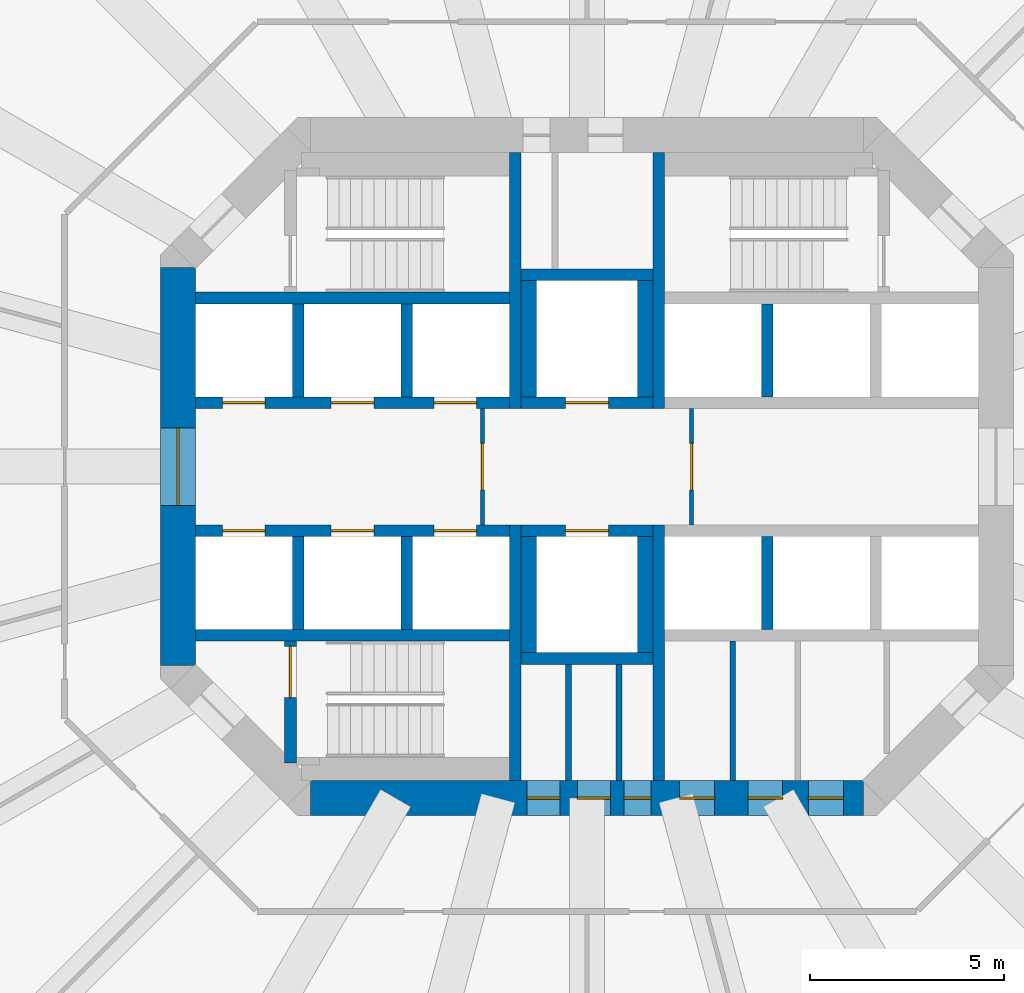
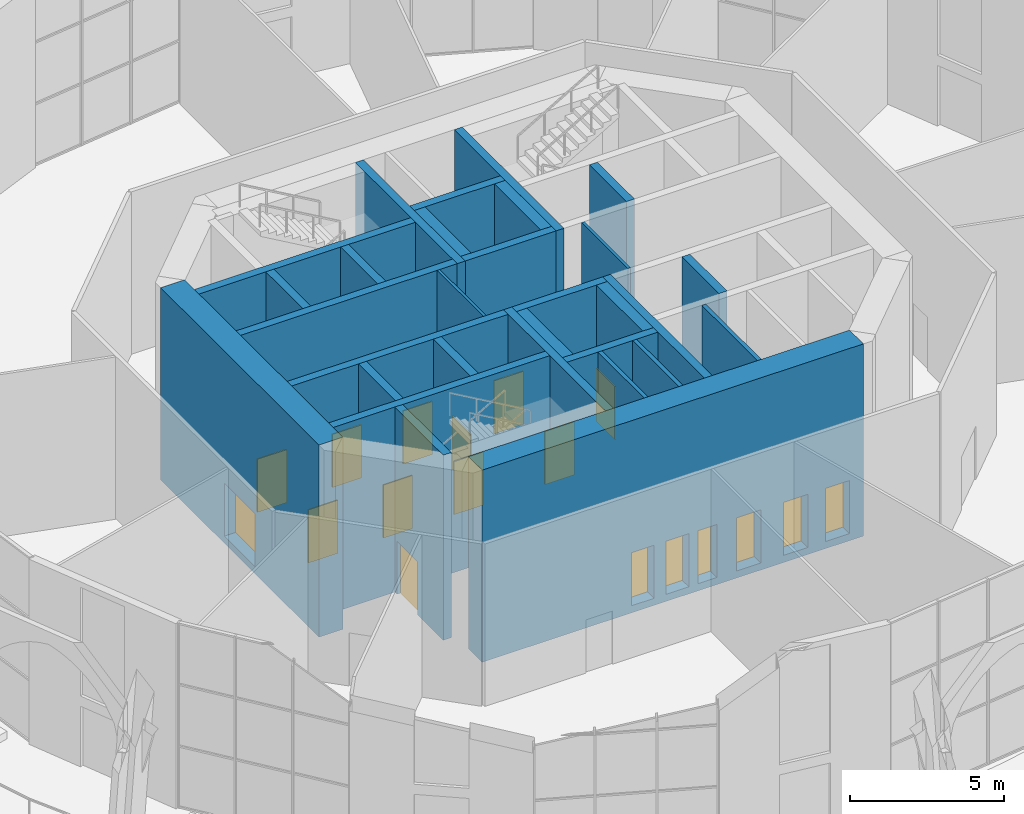
# One storey, part 13 of 19: 30 walls, 18 doors, 18 openings.
"""IFC4 building model written with IfcOpenShell, lengths in metres."""

import ifcopenshell
import ifcopenshell.guid

model = None  # the IFC model being written
_history = None  # IfcOwnerHistory: only IFC2X3 demands one
_inside = {}  # id of a spatial element -> (the spatial element, [elements in it])
_under = {}  # id of a project, library or spatial element -> (it, [spatial elements below it])
_declared = {}  # id of a project -> (the project, [libraries it declares])
_typed = {}  # id of a type object -> (the type object, [elements of that type])
_made_of = {}  # id of a material, layer set ... -> (it, [elements and type objects made of it])


def new_model(schema):
    """Start an empty IFC model of exactly this schema.

    Asked for "IFC4X3", IfcOpenShell would pick the latest addendum, in which some entities
    have other attributes; the version numbers below select the first issue.
    IFC2X3 requires an IfcOwnerHistory on every rooted entity: one is made here for all.
    """
    global model, _history
    if schema == "IFC4X3":
        model = ifcopenshell.file(schema_version=(4, 3, 0, 0))
    else:
        model = ifcopenshell.file(schema=schema)
    _inside.clear()
    _under.clear()
    _declared.clear()
    _typed.clear()
    _made_of.clear()
    _history = None
    if model.schema == "IFC2X3":
        org = make("IfcOrganization", Name="unknown")
        user = make(
            "IfcPersonAndOrganization",
            ThePerson=make("IfcPerson", FamilyName="unknown"),
            TheOrganization=org,
        )
        app = make(
            "IfcApplication",
            ApplicationDeveloper=org,
            Version="unknown",
            ApplicationFullName="unknown",
            ApplicationIdentifier="unknown",
        )
        _history = make(
            "IfcOwnerHistory",
            OwningUser=user,
            OwningApplication=app,
            ChangeAction="ADDED",
            CreationDate=0,
        )
    return model


def make(cls, **values):
    """One entity of the class cls with the attributes given. An attribute that is None is left unset."""
    return model.create_entity(
        cls, **{name: value for name, value in values.items() if value is not None}
    )


def rooted(cls, **values):
    """An entity with a GlobalId (a new one), such as an element, a storey or a relation."""
    return make(cls, GlobalId=ifcopenshell.guid.new(), OwnerHistory=_history, **values)


def si_unit(unit_type, name, prefix=None):
    """IfcSIUnit, for example si_unit("LENGTHUNIT", "METRE", prefix="MILLI")."""
    return make("IfcSIUnit", UnitType=unit_type, Prefix=prefix, Name=name)


def assignment(units):
    """IfcUnitAssignment: the units of a project."""
    return None if units is None else make("IfcUnitAssignment", Units=units)


def point(xyz):
    """IfcCartesianPoint."""
    return None if xyz is None else make("IfcCartesianPoint", Coordinates=xyz)


def direction(xyz):
    """IfcDirection."""
    return None if xyz is None else make("IfcDirection", DirectionRatios=xyz)


def frame(location, z_axis=None, x_axis=None):
    """IfcAxis2Placement3D, a coordinate frame: its origin and axes. An axis left out is left unset."""
    return make(
        "IfcAxis2Placement3D",
        Location=point(location),
        Axis=direction(z_axis),
        RefDirection=direction(x_axis),
    )


def frame_2d(location, x_axis=None):
    """IfcAxis2Placement2D, a coordinate frame in the plane: its origin and x axis."""
    return make(
        "IfcAxis2Placement2D", Location=point(location), RefDirection=direction(x_axis)
    )


def origin():
    """The frame at (0, 0, 0) with its axes left unset."""
    return frame((0.0, 0.0, 0.0))


def place(relative_to, where):
    """IfcLocalPlacement: puts the frame where relative to a parent placement (None: the world)."""
    return make(
        "IfcLocalPlacement", PlacementRelTo=relative_to, RelativePlacement=where
    )


def context(
    kind, dimensions, precision=None, world=None, true_north=None, identifier=None
):
    """IfcGeometricRepresentationContext, for example the 3D "Model" context."""
    return make(
        "IfcGeometricRepresentationContext",
        ContextIdentifier=identifier,
        ContextType=kind,
        CoordinateSpaceDimension=dimensions,
        Precision=precision,
        WorldCoordinateSystem=world,
        TrueNorth=true_north,
    )


def subcontext(parent, identifier, kind, view, scale=None):
    """IfcGeometricRepresentationSubContext, for example "Body" below "Model"."""
    return make(
        "IfcGeometricRepresentationSubContext",
        ContextIdentifier=identifier,
        ContextType=kind,
        ParentContext=parent,
        TargetScale=scale,
        TargetView=view,
    )


def project(units=None, contexts=None):
    """IfcProject with its units and contexts."""
    return rooted(
        "IfcProject",
        Name="project",
        RepresentationContexts=contexts,
        UnitsInContext=assignment(units),
    )


def spatial(cls, under=None, at=None, **own):
    """A site, building, storey or space (cls), placed at a placement, below another one or the project."""
    s = rooted(cls, ObjectPlacement=at, **own)
    if under is not None:
        _under.setdefault(under.id(), (under, []))[1].append(s)
    return s


def profile(cls, at=None, kind="AREA", **sizes):
    """A parametric profile (cls). Its sizes go by their IFC names, for example OverallWidth=200.0."""
    return make(cls, ProfileType=kind, Position=at, **sizes)


def rectangle(**sizes):
    """IfcRectangleProfileDef."""
    return profile("IfcRectangleProfileDef", **sizes)


def extrude(swept, where, along, depth):
    """IfcExtrudedAreaSolid: the profile swept, set in the frame where, extruded along a direction by depth."""
    return make(
        "IfcExtrudedAreaSolid",
        SweptArea=swept,
        Position=where,
        ExtrudedDirection=direction(along),
        Depth=depth,
    )


def shape(context_of_items, identifier, shape_type, items):
    """IfcShapeRepresentation: the items that make up one representation, for example the "Body"."""
    return make(
        "IfcShapeRepresentation",
        ContextOfItems=context_of_items,
        RepresentationIdentifier=identifier,
        RepresentationType=shape_type,
        Items=items,
    )


def material(Name=None, Category=None):
    """IfcMaterial."""
    return make("IfcMaterial", Name=Name, Category=Category)


def layer(
    of_material, thickness, ventilated=None, Name=None, Category=None, Priority=None
):
    """IfcMaterialLayer: one layer of a wall or slab, of a material (None: an air gap)."""
    return make(
        "IfcMaterialLayer",
        Material=of_material,
        LayerThickness=thickness,
        IsVentilated=ventilated,
        Name=Name,
        Category=Category,
        Priority=Priority,
    )


def layer_set(layers, Name=None):
    """IfcMaterialLayerSet."""
    return make("IfcMaterialLayerSet", MaterialLayers=layers, LayerSetName=Name)


def made_of(thing, what):
    """Note that an element or type object is made of a material, layer set ...; save() writes the relation."""
    if what is not None:
        _made_of.setdefault(what.id(), (what, []))[1].append(thing)
    return thing


def type_object(cls, material=None, **own):
    """A type object (cls), such as IfcWallType, which elements share."""
    return made_of(rooted(cls, **own), material)


def element(
    cls,
    number,
    at=None,
    inside=None,
    cuts=None,
    type_object=None,
    material=None,
    context=None,
    identifier="Body",
    shape_type=None,
    held_by="IfcProductDefinitionShape",
    body=None,
    shapes=None,
    **own,
):
    """One element of the class cls, such as IfcWall. Its Tag is "e" and its number.

    at: its placement. inside: the storey or other place that contains it. cuts: it is an
    opening in that element (IfcRelVoidsElement). A single representation is given by context,
    identifier, shape_type and body (its items); several are given by shapes. held_by: the class
    of the entity that holds the representations. save() writes the other relations.
    """
    e = rooted(cls, Tag="e%d" % number, ObjectPlacement=at, **own)
    if body is not None:
        shapes = [shape(context, identifier, shape_type, body)]
    if shapes is not None:
        e.Representation = make(held_by, Representations=shapes)
    if inside is not None:
        _inside.setdefault(inside.id(), (inside, []))[1].append(e)
    if cuts is not None:
        rooted(
            "IfcRelVoidsElement", RelatingBuildingElement=cuts, RelatedOpeningElement=e
        )
    if type_object is not None:
        _typed.setdefault(type_object.id(), (type_object, []))[1].append(e)
    return made_of(e, material)


def fill(opening, filler):
    """IfcRelFillsElement: the door or window that sits in an opening."""
    return rooted(
        "IfcRelFillsElement",
        RelatingOpeningElement=opening,
        RelatedBuildingElement=filler,
    )


def aggregate(whole, parts):
    """IfcRelAggregates: a whole, such as a stair, and the parts it consists of."""
    return rooted("IfcRelAggregates", RelatingObject=whole, RelatedObjects=parts)


def save(model, path):
    """Write the relations noted so far, then the file.

    IfcRelAggregates (storeys below a building ...), IfcRelContainedInSpatialStructure (elements
    in a storey), IfcRelDefinesByType, IfcRelAssociatesMaterial and IfcRelDeclares: one each for
    every whole, place, type object, material and project.
    """
    for whole, parts in _under.values():
        aggregate(whole, parts)
    for where, things in _inside.values():
        rooted(
            "IfcRelContainedInSpatialStructure",
            RelatedElements=things,
            RelatingStructure=where,
        )
    for kind, things in _typed.values():
        rooted("IfcRelDefinesByType", RelatedObjects=things, RelatingType=kind)
    for what, things in _made_of.values():
        rooted("IfcRelAssociatesMaterial", RelatedObjects=things, RelatingMaterial=what)
    for by, libraries in _declared.values():
        rooted("IfcRelDeclares", RelatingContext=by, RelatedDefinitions=libraries)
    model.write(path)


model = new_model("IFC4")

# Units and contexts
model_context = context("Model", 3, precision=1e-05, world=origin(), true_north=direction((0.0, 1.0)))
body_context = subcontext(model_context, "Body", "Model", "MODEL_VIEW")
ifc_project = project(units=[si_unit("LENGTHUNIT", "METRE"), si_unit("AREAUNIT", "SQUARE_METRE"), si_unit("VOLUMEUNIT", "CUBIC_METRE"), si_unit("PLANEANGLEUNIT", "RADIAN"), si_unit("MASSUNIT", "GRAM", prefix="KILO")], contexts=[model_context])

# Site, building, storey
site_placement = place(None, origin())
site = spatial("IfcSite", under=ifc_project, at=site_placement, CompositionType="ELEMENT")
building_placement = place(site_placement, origin())
building = spatial("IfcBuilding", under=site, at=building_placement, Name="Torre Triforio", CompositionType="ELEMENT")
storey_placement = place(building_placement, frame((0.0, 0.0, 79.0)))
storey = spatial("IfcBuildingStorey", under=building, at=storey_placement, Name="L17", CompositionType="ELEMENT", Elevation=79.0)

# Walls
ifc_material_1 = material(Name="Concrete C60", Category="concrete")
ifc_layer_1 = layer(ifc_material_1, 0.300048828125)
ifc_layer_set_1 = layer_set([ifc_layer_1], Name="Concrete C60")
wall_type_1 = type_object("IfcWallType", Name="Core wall 300 mm C60 EI 120", PredefinedType="SHEAR", material=ifc_layer_set_1)
for number, where, z_axis, x_axis, name in (
    (1, (-1.85009765625, 1.5, 0.0), (0.0, 0.0, 1.0), (0.0, 1.0, 0.0), "Core wall"),
    (2, (-1.85009765625, -8.10009765625, 0.0), (0.0, 0.0, 1.0), (0.0, 1.0, 0.0), "Core wall"),
    (3, (1.85009765625, 1.5, 0.0), (0.0, 0.0, 1.0), (0.0, 1.0, 0.0), "Core wall"),
    (4, (1.85009765625, -8.10009765625, 0.0), (0.0, 0.0, 1.0), (0.0, 1.0, 0.0), "Core wall"),
):
    element("IfcWall", number, at=place(storey_placement, frame(where, z_axis=z_axis, x_axis=x_axis)), inside=storey, type_object=wall_type_1, Name=name, PredefinedType="SHEAR", context=body_context, shape_type="SweptSolid", body=[
        extrude(rectangle(XDim=6.60009765625, YDim=0.300048828125, at=frame_2d((3.300048828125, 0.0))), origin(), (0.0, 0.0, 1.0), 7.320068359375),
    ])

# Wall, openings, doors
ifc_layer_2 = layer(ifc_material_1, 0.89990234375)
ifc_layer_set_2 = layer_set([ifc_layer_2], Name="Concrete C60")
wall_type_2 = type_object("IfcWallType", Name="Core wall 900 mm C60 EI 120", PredefinedType="SHEAR", material=ifc_layer_set_2)
wall_1_placement = place(storey_placement, frame((-7.1298828125, -8.550048828125, -0.280029296875), z_axis=(0.0, 0.0, 1.0), x_axis=(1.0, 0.0, 0.0)))
wall_1 = element("IfcWall", 5, at=wall_1_placement, inside=storey, type_object=wall_type_2, Name="Core wall", PredefinedType="SHEAR", context=body_context, shape_type="SweptSolid", body=[
    extrude(rectangle(XDim=14.259765625, YDim=0.89990234375, at=frame_2d((7.1298828125, 0.0))), origin(), (0.0, 0.0, 1.0), 7.60009765625),
])
opening_1_placement = place(wall_1_placement, frame((8.080078125, 0.0, 0.280029296875)))
opening_1 = element("IfcOpeningElement", 6, at=opening_1_placement, cuts=wall_1, Name="Opening RISER-S", PredefinedType="OPENING", context=body_context, shape_type="SweptSolid", body=[
    extrude(rectangle(XDim=0.699951171875, YDim=2.10009765625, at=frame_2d((0.35009765625, 1.050048828125))), frame((0.0, 0.4599609375, 0.0), z_axis=(0.0, -1.0, 0.0), x_axis=(1.0, 0.0, 0.0)), (0.0, 0.0, 1.0), 0.919921875),
])
opening_2_placement = place(wall_1_placement, frame((5.580078125, 0.0, 0.280029296875)))
opening_2 = element("IfcOpeningElement", 7, at=opening_2_placement, cuts=wall_1, Name="Opening SW-01A", PredefinedType="OPENING", context=body_context, shape_type="SweptSolid", body=[
    extrude(rectangle(XDim=0.85009765625, YDim=2.10009765625, at=frame_2d((0.425048828125, 1.050048828125))), frame((0.0, 0.4599609375, 0.0), z_axis=(0.0, -1.0, 0.0), x_axis=(1.0, 0.0, 0.0)), (0.0, 0.0, 1.0), 0.919921875),
])
opening_3_placement = place(wall_1_placement, frame((6.8798828125, 0.0, 0.280029296875)))
opening_3 = element("IfcOpeningElement", 8, at=opening_3_placement, cuts=wall_1, Name="Opening SW-02", PredefinedType="OPENING", context=body_context, shape_type="SweptSolid", body=[
    extrude(rectangle(XDim=0.85009765625, YDim=2.10009765625, at=frame_2d((0.425048828125, 1.050048828125))), frame((0.0, 0.4599609375, 0.0), z_axis=(0.0, -1.0, 0.0), x_axis=(1.0, 0.0, 0.0)), (0.0, 0.0, 1.0), 0.919921875),
])
opening_4_placement = place(wall_1_placement, frame((9.521484375, 0.0, 0.280029296875)))
opening_4 = element("IfcOpeningElement", 9, at=opening_4_placement, cuts=wall_1, Name="Opening SE-01", PredefinedType="OPENING", context=body_context, shape_type="SweptSolid", body=[
    extrude(rectangle(XDim=0.89990234375, YDim=2.10009765625, at=frame_2d((0.449951171875, 1.050048828125))), frame((0.0, 0.4599609375, 0.0), z_axis=(0.0, -1.0, 0.0), x_axis=(1.0, 0.0, 0.0)), (0.0, 0.0, 1.0), 0.919921875),
])
opening_5_placement = place(wall_1_placement, frame((11.278076171875, 0.0, 0.280029296875)))
opening_5 = element("IfcOpeningElement", 10, at=opening_5_placement, cuts=wall_1, Name="Opening SE-02", PredefinedType="OPENING", context=body_context, shape_type="SweptSolid", body=[
    extrude(rectangle(XDim=0.89990234375, YDim=2.10009765625, at=frame_2d((0.449951171875, 1.050048828125))), frame((0.0, 0.4599609375, 0.0), z_axis=(0.0, -1.0, 0.0), x_axis=(1.0, 0.0, 0.0)), (0.0, 0.0, 1.0), 0.919921875),
])
opening_6_placement = place(wall_1_placement, frame((12.840087890625, 0.0, 0.280029296875)))
opening_6 = element("IfcOpeningElement", 11, at=opening_6_placement, cuts=wall_1, Name="Opening SE-03", PredefinedType="OPENING", context=body_context, shape_type="SweptSolid", body=[
    extrude(rectangle(XDim=0.89990234375, YDim=2.10009765625, at=frame_2d((0.449951171875, 1.050048828125))), frame((0.0, 0.4599609375, 0.0), z_axis=(0.0, -1.0, 0.0), x_axis=(1.0, 0.0, 0.0)), (0.0, 0.0, 1.0), 0.919921875),
])
ifc_material_2 = material(Name="Hollow metal fire door leaf")
door_type_1 = type_object("IfcDoorType", Name="Plant room door 900 x 2100 EI 60", OperationType="NOTDEFINED", PredefinedType="DOOR", material=ifc_material_2)
door_1_placement = place(opening_4_placement, origin())
door_1 = element("IfcDoor", 12, at=door_1_placement, inside=storey, type_object=door_type_1, Name="Core door SE-01", OperationType="SINGLE_SWING_LEFT", OverallHeight=2.10009765625, OverallWidth=0.89990234375, PredefinedType="DOOR", context=body_context, shape_type="SweptSolid", body=[
    extrude(rectangle(XDim=0.89990234375, YDim=2.10009765625, at=frame_2d((0.449951171875, 1.050048828125))), frame((0.0, 0.02490234375, 0.0), z_axis=(0.0, -1.0, 0.0), x_axis=(1.0, 0.0, 0.0)), (0.0, 0.0, 1.0), 0.050048828125),
])
fill(opening_4, door_1)
door_type_2 = type_object("IfcDoorType", Name="Riser door 700 x 2100 EI 60", OperationType="NOTDEFINED", PredefinedType="DOOR", material=ifc_material_2)
door_2_placement = place(opening_1_placement, origin())
door_2 = element("IfcDoor", 13, at=door_2_placement, inside=storey, type_object=door_type_2, Name="Core door RISER-S", OperationType="SINGLE_SWING_RIGHT", OverallHeight=2.10009765625, OverallWidth=0.699951171875, PredefinedType="DOOR", context=body_context, shape_type="SweptSolid", body=[
    extrude(rectangle(XDim=0.699951171875, YDim=2.10009765625, at=frame_2d((0.35009765625, 1.050048828125))), frame((0.0, 0.02490234375, 0.0), z_axis=(0.0, -1.0, 0.0), x_axis=(1.0, 0.0, 0.0)), (0.0, 0.0, 1.0), 0.050048828125),
])
fill(opening_1, door_2)
door_type_3 = type_object("IfcDoorType", Name="Room door 850 x 2100 EI 60", OperationType="NOTDEFINED", PredefinedType="DOOR", material=ifc_material_2)
door_3_placement = place(opening_2_placement, origin())
door_3 = element("IfcDoor", 14, at=door_3_placement, inside=storey, type_object=door_type_3, Name="Core door SW-01", OperationType="SINGLE_SWING_RIGHT", OverallHeight=2.10009765625, OverallWidth=0.85009765625, PredefinedType="DOOR", context=body_context, shape_type="SweptSolid", body=[
    extrude(rectangle(XDim=0.85009765625, YDim=2.10009765625, at=frame_2d((0.425048828125, 1.050048828125))), frame((0.0, 0.02490234375, 0.0), z_axis=(0.0, -1.0, 0.0), x_axis=(1.0, 0.0, 0.0)), (0.0, 0.0, 1.0), 0.050048828125),
])
fill(opening_2, door_3)
door_4_placement = place(opening_3_placement, origin())
door_4 = element("IfcDoor", 15, at=door_4_placement, inside=storey, type_object=door_type_3, Name="Core door SW-02", OperationType="SINGLE_SWING_LEFT", OverallHeight=2.10009765625, OverallWidth=0.85009765625, PredefinedType="DOOR", context=body_context, shape_type="SweptSolid", body=[
    extrude(rectangle(XDim=0.85009765625, YDim=2.10009765625, at=frame_2d((0.425048828125, 1.050048828125))), frame((0.0, 0.02490234375, 0.0), z_axis=(0.0, -1.0, 0.0), x_axis=(1.0, 0.0, 0.0)), (0.0, 0.0, 1.0), 0.050048828125),
])
fill(opening_3, door_4)
door_type_4 = type_object("IfcDoorType", Name="Room door 900 x 2100 EI 60", OperationType="NOTDEFINED", PredefinedType="DOOR", material=ifc_material_2)
door_5_placement = place(opening_5_placement, origin())
door_5 = element("IfcDoor", 16, at=door_5_placement, inside=storey, type_object=door_type_4, Name="Core door SE-02", OperationType="SINGLE_SWING_LEFT", OverallHeight=2.10009765625, OverallWidth=0.89990234375, PredefinedType="DOOR", context=body_context, shape_type="SweptSolid", body=[
    extrude(rectangle(XDim=0.89990234375, YDim=2.10009765625, at=frame_2d((0.449951171875, 1.050048828125))), frame((0.0, 0.02490234375, 0.0), z_axis=(0.0, -1.0, 0.0), x_axis=(1.0, 0.0, 0.0)), (0.0, 0.0, 1.0), 0.050048828125),
])
fill(opening_5, door_5)
door_6_placement = place(opening_6_placement, origin())
door_6 = element("IfcDoor", 17, at=door_6_placement, inside=storey, type_object=door_type_4, Name="Core door SE-03", OperationType="SINGLE_SWING_LEFT", OverallHeight=2.10009765625, OverallWidth=0.89990234375, PredefinedType="DOOR", context=body_context, shape_type="SweptSolid", body=[
    extrude(rectangle(XDim=0.89990234375, YDim=2.10009765625, at=frame_2d((0.449951171875, 1.050048828125))), frame((0.0, 0.02490234375, 0.0), z_axis=(0.0, -1.0, 0.0), x_axis=(1.0, 0.0, 0.0)), (0.0, 0.0, 1.0), 0.050048828125),
])
fill(opening_6, door_6)

# Wall, opening, door
wall_2_placement = place(storey_placement, frame((-10.550048828125, -5.1298828125, -0.280029296875), z_axis=(0.0, 0.0, 1.0), x_axis=(0.0, 1.0, 0.0)))
wall_2 = element("IfcWall", 18, at=wall_2_placement, inside=storey, type_object=wall_type_2, Name="Core wall", PredefinedType="SHEAR", context=body_context, shape_type="SweptSolid", body=[
    extrude(rectangle(XDim=10.259765625, YDim=0.89990234375, at=frame_2d((5.1298828125, 0.0))), origin(), (0.0, 0.0, 1.0), 7.60009765625),
])
opening_7_placement = place(wall_2_placement, frame((4.1298828125, 0.0, 0.280029296875)))
opening_7 = element("IfcOpeningElement", 19, at=opening_7_placement, cuts=wall_2, Name="Opening W-RING", PredefinedType="OPENING", context=body_context, shape_type="SweptSolid", body=[
    extrude(rectangle(XDim=2.0, YDim=2.10009765625, at=frame_2d((1.0, 1.050048828125))), frame((0.0, 0.4599609375, 0.0), z_axis=(0.0, -1.0, 0.0), x_axis=(1.0, 0.0, 0.0)), (0.0, 0.0, 1.0), 0.919921875),
])
door_type_5 = type_object("IfcDoorType", Name="Lobby door 2000 x 2100 EI 60", OperationType="DOUBLE_DOOR_SINGLE_SWING", PredefinedType="DOOR", material=ifc_material_2)
door_7_placement = place(opening_7_placement, origin())
door_7 = element("IfcDoor", 20, at=door_7_placement, inside=storey, type_object=door_type_5, Name="Core door W-RING", OperationType="DOUBLE_DOOR_SINGLE_SWING", OverallHeight=2.10009765625, OverallWidth=2.0, PredefinedType="DOOR", context=body_context, shape_type="SweptSolid", body=[
    extrude(rectangle(XDim=2.0, YDim=2.10009765625, at=frame_2d((1.0, 1.050048828125))), frame((0.0, 0.02490234375, 0.0), z_axis=(0.0, -1.0, 0.0), x_axis=(1.0, 0.0, 0.0)), (0.0, 0.0, 1.0), 0.050048828125),
])
fill(opening_7, door_7)

ifc_material_3 = material(Name="Block and board partition")
ifc_layer_3 = layer(ifc_material_3, 0.10009765625)
ifc_layer_set_3 = layer_set([ifc_layer_3], Name="Block and board partition")
wall_type_3 = type_object("IfcWallType", Name="Partition 100 mm EI 120", PredefinedType="PARTITIONING", material=ifc_layer_set_3)
wall_3_placement = place(storey_placement, frame((-2.699951171875, -1.5, 0.0), z_axis=(0.0, 0.0, 1.0), x_axis=(0.0, 1.0, 0.0)))
wall_3 = element("IfcWall", 21, at=wall_3_placement, inside=storey, type_object=wall_type_3, Name="Partition", PredefinedType="PARTITIONING", context=body_context, shape_type="SweptSolid", body=[
    extrude(rectangle(XDim=3.0, YDim=0.10009765625, at=frame_2d((1.5, 0.0))), origin(), (0.0, 0.0, 1.0), 7.320068359375),
])
opening_8_placement = place(wall_3_placement, frame((0.89990234375, 0.0, 0.0)))
opening_8 = element("IfcOpeningElement", 22, at=opening_8_placement, cuts=wall_3, Name="Opening FF-W", PredefinedType="OPENING", context=body_context, shape_type="SweptSolid", body=[
    extrude(rectangle(XDim=1.199951171875, YDim=2.10009765625, at=frame_2d((0.60009765625, 1.050048828125))), frame((0.0, 0.06005859375, 0.0), z_axis=(0.0, -1.0, 0.0), x_axis=(1.0, 0.0, 0.0)), (0.0, 0.0, 1.0), 0.1201171875),
])
door_type_6 = type_object("IfcDoorType", Name="Fire-fighting lobby door 1200 x 2100 EI 60", OperationType="NOTDEFINED", PredefinedType="DOOR", material=ifc_material_2)
door_8_placement = place(opening_8_placement, origin())
door_8 = element("IfcDoor", 23, at=door_8_placement, inside=storey, type_object=door_type_6, Name="Core door FF-W", OperationType="SINGLE_SWING_LEFT", OverallHeight=2.10009765625, OverallWidth=1.199951171875, PredefinedType="DOOR", context=body_context, shape_type="SweptSolid", body=[
    extrude(rectangle(XDim=1.199951171875, YDim=2.10009765625, at=frame_2d((0.60009765625, 1.050048828125))), frame((0.0, 0.02490234375, 0.0), z_axis=(0.0, -1.0, 0.0), x_axis=(1.0, 0.0, 0.0)), (0.0, 0.0, 1.0), 0.050048828125),
])
fill(opening_8, door_8)

wall_4_placement = place(storey_placement, frame((2.699951171875, -1.5, 0.0), z_axis=(0.0, 0.0, 1.0), x_axis=(0.0, 1.0, 0.0)))
wall_4 = element("IfcWall", 24, at=wall_4_placement, inside=storey, type_object=wall_type_3, Name="Partition", PredefinedType="PARTITIONING", context=body_context, shape_type="SweptSolid", body=[
    extrude(rectangle(XDim=3.0, YDim=0.10009765625, at=frame_2d((1.5, 0.0))), origin(), (0.0, 0.0, 1.0), 7.320068359375),
])
opening_9_placement = place(wall_4_placement, frame((0.89990234375, 0.0, 0.0)))
opening_9 = element("IfcOpeningElement", 25, at=opening_9_placement, cuts=wall_4, Name="Opening FF-E", PredefinedType="OPENING", context=body_context, shape_type="SweptSolid", body=[
    extrude(rectangle(XDim=1.199951171875, YDim=2.10009765625, at=frame_2d((0.60009765625, 1.050048828125))), frame((0.0, 0.06005859375, 0.0), z_axis=(0.0, -1.0, 0.0), x_axis=(1.0, 0.0, 0.0)), (0.0, 0.0, 1.0), 0.1201171875),
])
door_9_placement = place(opening_9_placement, origin())
door_9 = element("IfcDoor", 26, at=door_9_placement, inside=storey, type_object=door_type_6, Name="Core door FF-E", OperationType="SINGLE_SWING_LEFT", OverallHeight=2.10009765625, OverallWidth=1.199951171875, PredefinedType="DOOR", context=body_context, shape_type="SweptSolid", body=[
    extrude(rectangle(XDim=1.199951171875, YDim=2.10009765625, at=frame_2d((0.60009765625, 1.050048828125))), frame((0.0, 0.02490234375, 0.0), z_axis=(0.0, -1.0, 0.0), x_axis=(1.0, 0.0, 0.0)), (0.0, 0.0, 1.0), 0.050048828125),
])
fill(opening_9, door_9)

# Walls
ifc_layer_4 = layer(ifc_material_3, 0.14990234375)
ifc_layer_set_4 = layer_set([ifc_layer_4], Name="Block and board partition")
wall_type_4 = type_object("IfcWallType", Name="Partition 150 mm", PredefinedType="PARTITIONING", material=ifc_layer_set_4)
wall_5_placement = place(storey_placement, frame((-0.47509765625, -8.10009765625, 0.0), z_axis=(0.0, 0.0, 1.0), x_axis=(0.0, 1.0, 0.0)))
element("IfcWall", 27, at=wall_5_placement, inside=storey, type_object=wall_type_4, Name="Partition", PredefinedType="PARTITIONING", context=body_context, shape_type="SweptSolid", body=[
    extrude(rectangle(XDim=3.0, YDim=0.14990234375, at=frame_2d((1.5, 0.0))), origin(), (0.0, 0.0, 1.0), 7.320068359375),
])
wall_6_placement = place(storey_placement, frame((3.758056640625, -8.10009765625, 0.0), z_axis=(0.0, 0.0, 1.0), x_axis=(0.0, 1.0, 0.0)))
element("IfcWall", 28, at=wall_6_placement, inside=storey, type_object=wall_type_4, Name="Partition", PredefinedType="PARTITIONING", context=body_context, shape_type="SweptSolid", body=[
    extrude(rectangle(XDim=3.60009765625, YDim=0.14990234375, at=frame_2d((1.800048828125, 0.0))), origin(), (0.0, 0.0, 1.0), 7.320068359375),
])
ifc_layer_5 = layer(ifc_material_3, 0.14990234375)
ifc_layer_set_5 = layer_set([ifc_layer_5], Name="Block and board partition")
wall_type_5 = type_object("IfcWallType", Name="Partition 150 mm EI 120", PredefinedType="PARTITIONING", material=ifc_layer_set_5)
wall_7_placement = place(storey_placement, frame((0.824951171875, -8.10009765625, 0.0), z_axis=(0.0, 0.0, 1.0), x_axis=(0.0, 1.0, 0.0)))
element("IfcWall", 29, at=wall_7_placement, inside=storey, type_object=wall_type_5, Name="Partition", PredefinedType="PARTITIONING", context=body_context, shape_type="SweptSolid", body=[
    extrude(rectangle(XDim=3.0, YDim=0.14990234375, at=frame_2d((1.5, 0.0))), origin(), (0.0, 0.0, 1.0), 7.320068359375),
])
ifc_layer_6 = layer(ifc_material_1, 0.300048828125)
ifc_layer_set_6 = layer_set([ifc_layer_6], Name="Concrete C60")
wall_type_6 = type_object("IfcWallType", Name="Shaft wall 300 mm C60 EI 120", PredefinedType="SOLIDWALL", material=ifc_layer_set_6)
for number, where, z_axis, x_axis, name in (
    (30, (-10.10009765625, 4.35009765625, 0.0), (0.0, 0.0, 1.0), (1.0, 0.0, 0.0), "Shaft wall"),
    (31, (-10.10009765625, -4.35009765625, 0.0), (0.0, 0.0, 1.0), (1.0, 0.0, 0.0), "Shaft wall"),
):
    element("IfcWall", number, at=place(storey_placement, frame(where, z_axis=z_axis, x_axis=x_axis)), inside=storey, type_object=wall_type_6, Name=name, PredefinedType="SOLIDWALL", context=body_context, shape_type="SweptSolid", body=[
        extrude(rectangle(XDim=8.10009765625, YDim=0.300048828125, at=frame_2d((4.050048828125, 0.0))), origin(), (0.0, 0.0, 1.0), 7.320068359375),
    ])

# Wall, openings, doors
wall_8_placement = place(storey_placement, frame((-10.10009765625, 1.64990234375, 0.0), z_axis=(0.0, 0.0, 1.0), x_axis=(1.0, 0.0, 0.0)))
wall_8 = element("IfcWall", 32, at=wall_8_placement, inside=storey, type_object=wall_type_6, Name="Shaft wall", PredefinedType="SOLIDWALL", context=body_context, shape_type="SweptSolid", body=[
    extrude(rectangle(XDim=8.10009765625, YDim=0.300048828125, at=frame_2d((4.050048828125, 0.0))), origin(), (0.0, 0.0, 1.0), 7.320068359375),
])
opening_10_placement = place(wall_8_placement, frame((0.699951171875, 0.0, 0.0)))
opening_10 = element("IfcOpeningElement", 33, at=opening_10_placement, cuts=wall_8, Name="Opening LD", PredefinedType="OPENING", context=body_context, shape_type="SweptSolid", body=[
    extrude(rectangle(XDim=1.10009765625, YDim=2.10009765625, at=frame_2d((0.550048828125, 1.050048828125))), frame((0.0, 0.159912109375, 0.0), z_axis=(0.0, -1.0, 0.0), x_axis=(1.0, 0.0, 0.0)), (0.0, 0.0, 1.0), 0.320068359375),
])
opening_11_placement = place(wall_8_placement, frame((3.5, 0.0, 0.0)))
opening_11 = element("IfcOpeningElement", 34, at=opening_11_placement, cuts=wall_8, Name="Opening LD", PredefinedType="OPENING", context=body_context, shape_type="SweptSolid", body=[
    extrude(rectangle(XDim=1.10009765625, YDim=2.10009765625, at=frame_2d((0.550048828125, 1.050048828125))), frame((0.0, 0.159912109375, 0.0), z_axis=(0.0, -1.0, 0.0), x_axis=(1.0, 0.0, 0.0)), (0.0, 0.0, 1.0), 0.320068359375),
])
opening_12_placement = place(wall_8_placement, frame((6.14990234375, 0.0, 0.0)))
opening_12 = element("IfcOpeningElement", 35, at=opening_12_placement, cuts=wall_8, Name="Opening LD", PredefinedType="OPENING", context=body_context, shape_type="SweptSolid", body=[
    extrude(rectangle(XDim=1.10009765625, YDim=2.10009765625, at=frame_2d((0.550048828125, 1.050048828125))), frame((0.0, 0.159912109375, 0.0), z_axis=(0.0, -1.0, 0.0), x_axis=(1.0, 0.0, 0.0)), (0.0, 0.0, 1.0), 0.320068359375),
])
door_type_7 = type_object("IfcDoorType", Name="Landing door 1100 x 2100 EI 60", OperationType="DOUBLE_DOOR_SLIDING", PredefinedType="DOOR", material=ifc_material_2)
door_10_placement = place(opening_10_placement, origin())
door_10 = element("IfcDoor", 36, at=door_10_placement, inside=storey, type_object=door_type_7, Name="Landing door LR1", OperationType="DOUBLE_DOOR_SLIDING", OverallHeight=2.10009765625, OverallWidth=1.10009765625, PredefinedType="DOOR", context=body_context, shape_type="SweptSolid", body=[
    extrude(rectangle(XDim=1.10009765625, YDim=2.10009765625, at=frame_2d((0.550048828125, 1.050048828125))), frame((0.0, 0.02490234375, 0.0), z_axis=(0.0, -1.0, 0.0), x_axis=(1.0, 0.0, 0.0)), (0.0, 0.0, 1.0), 0.050048828125),
])
fill(opening_10, door_10)
door_11_placement = place(opening_11_placement, origin())
door_11 = element("IfcDoor", 37, at=door_11_placement, inside=storey, type_object=door_type_7, Name="Landing door LR2", OperationType="DOUBLE_DOOR_SLIDING", OverallHeight=2.10009765625, OverallWidth=1.10009765625, PredefinedType="DOOR", context=body_context, shape_type="SweptSolid", body=[
    extrude(rectangle(XDim=1.10009765625, YDim=2.10009765625, at=frame_2d((0.550048828125, 1.050048828125))), frame((0.0, 0.02490234375, 0.0), z_axis=(0.0, -1.0, 0.0), x_axis=(1.0, 0.0, 0.0)), (0.0, 0.0, 1.0), 0.050048828125),
])
fill(opening_11, door_11)
door_12_placement = place(opening_12_placement, origin())
door_12 = element("IfcDoor", 38, at=door_12_placement, inside=storey, type_object=door_type_7, Name="Landing door LR3", OperationType="DOUBLE_DOOR_SLIDING", OverallHeight=2.10009765625, OverallWidth=1.10009765625, PredefinedType="DOOR", context=body_context, shape_type="SweptSolid", body=[
    extrude(rectangle(XDim=1.10009765625, YDim=2.10009765625, at=frame_2d((0.550048828125, 1.050048828125))), frame((0.0, 0.02490234375, 0.0), z_axis=(0.0, -1.0, 0.0), x_axis=(1.0, 0.0, 0.0)), (0.0, 0.0, 1.0), 0.050048828125),
])
fill(opening_12, door_12)

wall_9_placement = place(storey_placement, frame((-10.10009765625, -1.64990234375, 0.0), z_axis=(0.0, 0.0, 1.0), x_axis=(1.0, 0.0, 0.0)))
wall_9 = element("IfcWall", 39, at=wall_9_placement, inside=storey, type_object=wall_type_6, Name="Shaft wall", PredefinedType="SOLIDWALL", context=body_context, shape_type="SweptSolid", body=[
    extrude(rectangle(XDim=8.10009765625, YDim=0.300048828125, at=frame_2d((4.050048828125, 0.0))), origin(), (0.0, 0.0, 1.0), 7.320068359375),
])
opening_13_placement = place(wall_9_placement, frame((0.699951171875, 0.0, 0.0)))
opening_13 = element("IfcOpeningElement", 40, at=opening_13_placement, cuts=wall_9, Name="Opening LD", PredefinedType="OPENING", context=body_context, shape_type="SweptSolid", body=[
    extrude(rectangle(XDim=1.10009765625, YDim=2.10009765625, at=frame_2d((0.550048828125, 1.050048828125))), frame((0.0, 0.159912109375, 0.0), z_axis=(0.0, -1.0, 0.0), x_axis=(1.0, 0.0, 0.0)), (0.0, 0.0, 1.0), 0.320068359375),
])
opening_14_placement = place(wall_9_placement, frame((3.5, 0.0, 0.0)))
opening_14 = element("IfcOpeningElement", 41, at=opening_14_placement, cuts=wall_9, Name="Opening LD", PredefinedType="OPENING", context=body_context, shape_type="SweptSolid", body=[
    extrude(rectangle(XDim=1.10009765625, YDim=2.10009765625, at=frame_2d((0.550048828125, 1.050048828125))), frame((0.0, 0.159912109375, 0.0), z_axis=(0.0, -1.0, 0.0), x_axis=(1.0, 0.0, 0.0)), (0.0, 0.0, 1.0), 0.320068359375),
])
opening_15_placement = place(wall_9_placement, frame((6.14990234375, 0.0, 0.0)))
opening_15 = element("IfcOpeningElement", 42, at=opening_15_placement, cuts=wall_9, Name="Opening LD", PredefinedType="OPENING", context=body_context, shape_type="SweptSolid", body=[
    extrude(rectangle(XDim=1.10009765625, YDim=2.10009765625, at=frame_2d((0.550048828125, 1.050048828125))), frame((0.0, 0.159912109375, 0.0), z_axis=(0.0, -1.0, 0.0), x_axis=(1.0, 0.0, 0.0)), (0.0, 0.0, 1.0), 0.320068359375),
])
door_13_placement = place(opening_13_placement, origin())
door_13 = element("IfcDoor", 43, at=door_13_placement, inside=storey, type_object=door_type_7, Name="Landing door LR4", OperationType="DOUBLE_DOOR_SLIDING", OverallHeight=2.10009765625, OverallWidth=1.10009765625, PredefinedType="DOOR", context=body_context, shape_type="SweptSolid", body=[
    extrude(rectangle(XDim=1.10009765625, YDim=2.10009765625, at=frame_2d((0.550048828125, 1.050048828125))), frame((0.0, 0.02490234375, 0.0), z_axis=(0.0, -1.0, 0.0), x_axis=(1.0, 0.0, 0.0)), (0.0, 0.0, 1.0), 0.050048828125),
])
fill(opening_13, door_13)
door_14_placement = place(opening_14_placement, origin())
door_14 = element("IfcDoor", 44, at=door_14_placement, inside=storey, type_object=door_type_7, Name="Landing door LR5", OperationType="DOUBLE_DOOR_SLIDING", OverallHeight=2.10009765625, OverallWidth=1.10009765625, PredefinedType="DOOR", context=body_context, shape_type="SweptSolid", body=[
    extrude(rectangle(XDim=1.10009765625, YDim=2.10009765625, at=frame_2d((0.550048828125, 1.050048828125))), frame((0.0, 0.02490234375, 0.0), z_axis=(0.0, -1.0, 0.0), x_axis=(1.0, 0.0, 0.0)), (0.0, 0.0, 1.0), 0.050048828125),
])
fill(opening_14, door_14)
door_15_placement = place(opening_15_placement, origin())
door_15 = element("IfcDoor", 45, at=door_15_placement, inside=storey, type_object=door_type_7, Name="Landing door LR6", OperationType="DOUBLE_DOOR_SLIDING", OverallHeight=2.10009765625, OverallWidth=1.10009765625, PredefinedType="DOOR", context=body_context, shape_type="SweptSolid", body=[
    extrude(rectangle(XDim=1.10009765625, YDim=2.10009765625, at=frame_2d((0.550048828125, 1.050048828125))), frame((0.0, 0.02490234375, 0.0), z_axis=(0.0, -1.0, 0.0), x_axis=(1.0, 0.0, 0.0)), (0.0, 0.0, 1.0), 0.050048828125),
])
fill(opening_15, door_15)

# Walls
for number, where, z_axis, x_axis, name in (
    (46, (-7.449951171875, 1.800048828125, 0.0), (0.0, 0.0, 1.0), (0.0, 1.0, 0.0), "Shaft wall"),
    (47, (-7.449951171875, -4.199951171875, 0.0), (0.0, 0.0, 1.0), (0.0, 1.0, 0.0), "Shaft wall"),
    (48, (-4.64990234375, 1.800048828125, 0.0), (0.0, 0.0, 1.0), (0.0, 1.0, 0.0), "Shaft wall"),
    (49, (-4.64990234375, -4.199951171875, 0.0), (0.0, 0.0, 1.0), (0.0, 1.0, 0.0), "Shaft wall"),
    (50, (4.64990234375, 1.800048828125, 0.0), (0.0, 0.0, 1.0), (0.0, 1.0, 0.0), "Shaft wall"),
    (51, (4.64990234375, -4.199951171875, 0.0), (0.0, 0.0, 1.0), (0.0, 1.0, 0.0), "Shaft wall"),
):
    element("IfcWall", number, at=place(storey_placement, frame(where, z_axis=z_axis, x_axis=x_axis)), inside=storey, type_object=wall_type_6, Name=name, PredefinedType="SOLIDWALL", context=body_context, shape_type="SweptSolid", body=[
        extrude(rectangle(XDim=2.39990234375, YDim=0.300048828125, at=frame_2d((1.199951171875, 0.0))), origin(), (0.0, 0.0, 1.0), 7.320068359375),
    ])

# Wall, opening, door
wall_10_placement = place(storey_placement, frame((-1.699951171875, 1.64990234375, 0.0), z_axis=(0.0, 0.0, 1.0), x_axis=(1.0, 0.0, 0.0)))
wall_10 = element("IfcWall", 52, at=wall_10_placement, inside=storey, type_object=wall_type_6, Name="Shaft wall", PredefinedType="SOLIDWALL", context=body_context, shape_type="SweptSolid", body=[
    extrude(rectangle(XDim=3.39990234375, YDim=0.300048828125, at=frame_2d((1.699951171875, 0.0))), origin(), (0.0, 0.0, 1.0), 7.320068359375),
])
opening_16_placement = place(wall_10_placement, frame((1.14990234375, 0.0, 0.0)))
opening_16 = element("IfcOpeningElement", 53, at=opening_16_placement, cuts=wall_10, Name="Opening LD", PredefinedType="OPENING", context=body_context, shape_type="SweptSolid", body=[
    extrude(rectangle(XDim=1.10009765625, YDim=2.10009765625, at=frame_2d((0.550048828125, 1.050048828125))), frame((0.0, 0.159912109375, 0.0), z_axis=(0.0, -1.0, 0.0), x_axis=(1.0, 0.0, 0.0)), (0.0, 0.0, 1.0), 0.320068359375),
])
door_16_placement = place(opening_16_placement, origin())
door_16 = element("IfcDoor", 54, at=door_16_placement, inside=storey, type_object=door_type_7, Name="Landing door FFL1", OperationType="DOUBLE_DOOR_SLIDING", OverallHeight=2.10009765625, OverallWidth=1.10009765625, PredefinedType="DOOR", context=body_context, shape_type="SweptSolid", body=[
    extrude(rectangle(XDim=1.10009765625, YDim=2.10009765625, at=frame_2d((0.550048828125, 1.050048828125))), frame((0.0, 0.02490234375, 0.0), z_axis=(0.0, -1.0, 0.0), x_axis=(1.0, 0.0, 0.0)), (0.0, 0.0, 1.0), 0.050048828125),
])
fill(opening_16, door_16)

wall_11_placement = place(storey_placement, frame((-1.699951171875, -1.64990234375, 0.0), z_axis=(0.0, 0.0, 1.0), x_axis=(1.0, 0.0, 0.0)))
wall_11 = element("IfcWall", 55, at=wall_11_placement, inside=storey, type_object=wall_type_6, Name="Shaft wall", PredefinedType="SOLIDWALL", context=body_context, shape_type="SweptSolid", body=[
    extrude(rectangle(XDim=3.39990234375, YDim=0.300048828125, at=frame_2d((1.699951171875, 0.0))), origin(), (0.0, 0.0, 1.0), 7.320068359375),
])
opening_17_placement = place(wall_11_placement, frame((1.14990234375, 0.0, 0.0)))
opening_17 = element("IfcOpeningElement", 56, at=opening_17_placement, cuts=wall_11, Name="Opening LD", PredefinedType="OPENING", context=body_context, shape_type="SweptSolid", body=[
    extrude(rectangle(XDim=1.10009765625, YDim=2.10009765625, at=frame_2d((0.550048828125, 1.050048828125))), frame((0.0, 0.159912109375, 0.0), z_axis=(0.0, -1.0, 0.0), x_axis=(1.0, 0.0, 0.0)), (0.0, 0.0, 1.0), 0.320068359375),
])
door_17_placement = place(opening_17_placement, origin())
door_17 = element("IfcDoor", 57, at=door_17_placement, inside=storey, type_object=door_type_7, Name="Landing door FFL2", OperationType="DOUBLE_DOOR_SLIDING", OverallHeight=2.10009765625, OverallWidth=1.10009765625, PredefinedType="DOOR", context=body_context, shape_type="SweptSolid", body=[
    extrude(rectangle(XDim=1.10009765625, YDim=2.10009765625, at=frame_2d((0.550048828125, 1.050048828125))), frame((0.0, 0.02490234375, 0.0), z_axis=(0.0, -1.0, 0.0), x_axis=(1.0, 0.0, 0.0)), (0.0, 0.0, 1.0), 0.050048828125),
])
fill(opening_17, door_17)

# Walls
for number, where, z_axis, x_axis, name in (
    (58, (-1.699951171875, 4.949951171875, 0.0), (0.0, 0.0, 1.0), (1.0, 0.0, 0.0), "Shaft wall"),
    (59, (-1.699951171875, -4.949951171875, 0.0), (0.0, 0.0, 1.0), (1.0, 0.0, 0.0), "Shaft wall"),
):
    element("IfcWall", number, at=place(storey_placement, frame(where, z_axis=z_axis, x_axis=x_axis)), inside=storey, type_object=wall_type_6, Name=name, PredefinedType="SOLIDWALL", context=body_context, shape_type="SweptSolid", body=[
        extrude(rectangle(XDim=3.39990234375, YDim=0.300048828125, at=frame_2d((1.699951171875, 0.0))), origin(), (0.0, 0.0, 1.0), 7.320068359375),
    ])
ifc_layer_7 = layer(ifc_material_1, 0.39990234375)
ifc_layer_set_7 = layer_set([ifc_layer_7], Name="Concrete C60")
wall_type_7 = type_object("IfcWallType", Name="Shaft wall 400 mm C60 EI 120", PredefinedType="SOLIDWALL", material=ifc_layer_set_7)
for number, where, z_axis, x_axis, name in (
    (60, (-1.5, 1.800048828125, 0.0), (0.0, 0.0, 1.0), (0.0, 1.0, 0.0), "Shaft wall"),
    (61, (-1.5, -4.800048828125, 0.0), (0.0, 0.0, 1.0), (0.0, 1.0, 0.0), "Shaft wall"),
    (62, (1.5, 1.800048828125, 0.0), (0.0, 0.0, 1.0), (0.0, 1.0, 0.0), "Shaft wall"),
    (63, (1.5, -4.800048828125, 0.0), (0.0, 0.0, 1.0), (0.0, 1.0, 0.0), "Shaft wall"),
):
    element("IfcWall", number, at=place(storey_placement, frame(where, z_axis=z_axis, x_axis=x_axis)), inside=storey, type_object=wall_type_7, Name=name, PredefinedType="SOLIDWALL", context=body_context, shape_type="SweptSolid", body=[
        extrude(rectangle(XDim=3.0, YDim=0.39990234375, at=frame_2d((1.5, 0.0))), origin(), (0.0, 0.0, 1.0), 7.320068359375),
    ])

# Wall, opening, door
ifc_layer_8 = layer(ifc_material_1, 0.300048828125)
ifc_layer_set_8 = layer_set([ifc_layer_8], Name="Concrete C60")
wall_type_8 = type_object("IfcWallType", Name="Stair wall 300 mm C60 EI 120", PredefinedType="SHEAR", material=ifc_layer_set_8)
wall_12_placement = place(storey_placement, frame((-7.64990234375, -7.639892578125, 0.0), z_axis=(0.0, 0.0, 1.0), x_axis=(0.0, 1.0, 0.0)))
wall_12 = element("IfcWall", 64, at=wall_12_placement, inside=storey, type_object=wall_type_8, Name="Stair wall", PredefinedType="SHEAR", context=body_context, shape_type="SweptSolid", body=[
    extrude(rectangle(XDim=3.139892578125, YDim=0.300048828125, at=frame_2d((1.56982421875, 0.0))), origin(), (0.0, 0.0, 1.0), 7.320068359375),
])
opening_18_placement = place(wall_12_placement, frame((1.679931640625, 0.0, 0.0)))
opening_18 = element("IfcOpeningElement", 65, at=opening_18_placement, cuts=wall_12, Name="Opening ST3-STA", PredefinedType="OPENING", context=body_context, shape_type="SweptSolid", body=[
    extrude(rectangle(XDim=1.320068359375, YDim=2.10009765625, at=frame_2d((0.66015625, 1.050048828125))), frame((0.0, 0.159912109375, 0.0), z_axis=(0.0, -1.0, 0.0), x_axis=(1.0, 0.0, 0.0)), (0.0, 0.0, 1.0), 0.320068359375),
])
door_type_8 = type_object("IfcDoorType", Name="Stair door 1320 x 2100 EI 90", OperationType="DOUBLE_DOOR_SINGLE_SWING", PredefinedType="DOOR", material=ifc_material_2)
door_18_placement = place(opening_18_placement, origin())
door_18 = element("IfcDoor", 66, at=door_18_placement, inside=storey, type_object=door_type_8, Name="Core door ST3-ST", OperationType="DOUBLE_DOOR_SINGLE_SWING", OverallHeight=2.10009765625, OverallWidth=1.320068359375, PredefinedType="DOOR", context=body_context, shape_type="SweptSolid", body=[
    extrude(rectangle(XDim=1.320068359375, YDim=2.10009765625, at=frame_2d((0.66015625, 1.050048828125))), frame((0.0, 0.02490234375, 0.0), z_axis=(0.0, -1.0, 0.0), x_axis=(1.0, 0.0, 0.0)), (0.0, 0.0, 1.0), 0.050048828125),
])
fill(opening_18, door_18)

save(model, "model.ifc")
